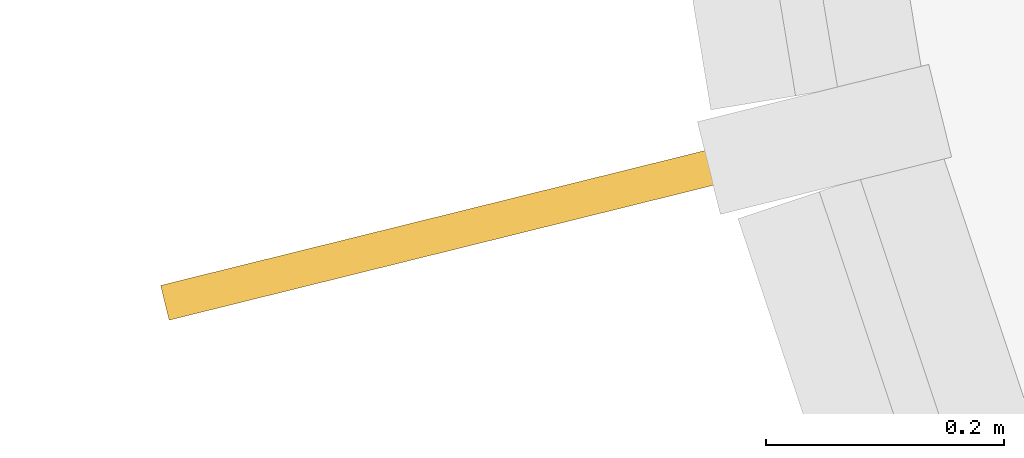
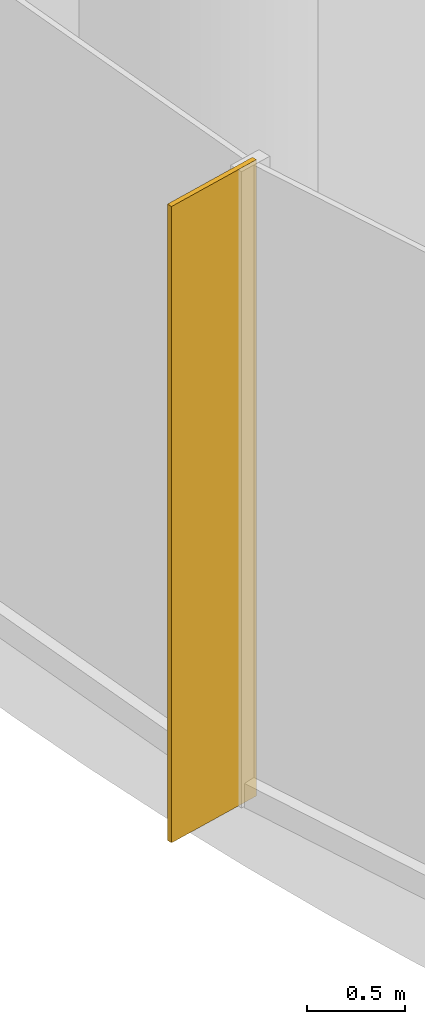
# One storey, part 17 of 19: 1 shading device.
"""IFC4 building model written with IfcOpenShell, lengths in metres."""

import ifcopenshell
import ifcopenshell.guid

model = None  # the IFC model being written
_history = None  # IfcOwnerHistory: only IFC2X3 demands one
_inside = {}  # id of a spatial element -> (the spatial element, [elements in it])
_under = {}  # id of a project, library or spatial element -> (it, [spatial elements below it])
_declared = {}  # id of a project -> (the project, [libraries it declares])
_typed = {}  # id of a type object -> (the type object, [elements of that type])
_made_of = {}  # id of a material, layer set ... -> (it, [elements and type objects made of it])


def new_model(schema):
    """Start an empty IFC model of exactly this schema.

    Asked for "IFC4X3", IfcOpenShell would pick the latest addendum, in which some entities
    have other attributes; the version numbers below select the first issue.
    IFC2X3 requires an IfcOwnerHistory on every rooted entity: one is made here for all.
    """
    global model, _history
    if schema == "IFC4X3":
        model = ifcopenshell.file(schema_version=(4, 3, 0, 0))
    else:
        model = ifcopenshell.file(schema=schema)
    _inside.clear()
    _under.clear()
    _declared.clear()
    _typed.clear()
    _made_of.clear()
    _history = None
    if model.schema == "IFC2X3":
        org = make("IfcOrganization", Name="unknown")
        user = make(
            "IfcPersonAndOrganization",
            ThePerson=make("IfcPerson", FamilyName="unknown"),
            TheOrganization=org,
        )
        app = make(
            "IfcApplication",
            ApplicationDeveloper=org,
            Version="unknown",
            ApplicationFullName="unknown",
            ApplicationIdentifier="unknown",
        )
        _history = make(
            "IfcOwnerHistory",
            OwningUser=user,
            OwningApplication=app,
            ChangeAction="ADDED",
            CreationDate=0,
        )
    return model


def make(cls, **values):
    """One entity of the class cls with the attributes given. An attribute that is None is left unset."""
    return model.create_entity(
        cls, **{name: value for name, value in values.items() if value is not None}
    )


def rooted(cls, **values):
    """An entity with a GlobalId (a new one), such as an element, a storey or a relation."""
    return make(cls, GlobalId=ifcopenshell.guid.new(), OwnerHistory=_history, **values)


def si_unit(unit_type, name, prefix=None):
    """IfcSIUnit, for example si_unit("LENGTHUNIT", "METRE", prefix="MILLI")."""
    return make("IfcSIUnit", UnitType=unit_type, Prefix=prefix, Name=name)


def assignment(units):
    """IfcUnitAssignment: the units of a project."""
    return None if units is None else make("IfcUnitAssignment", Units=units)


def point(xyz):
    """IfcCartesianPoint."""
    return None if xyz is None else make("IfcCartesianPoint", Coordinates=xyz)


def direction(xyz):
    """IfcDirection."""
    return None if xyz is None else make("IfcDirection", DirectionRatios=xyz)


def frame(location, z_axis=None, x_axis=None):
    """IfcAxis2Placement3D, a coordinate frame: its origin and axes. An axis left out is left unset."""
    return make(
        "IfcAxis2Placement3D",
        Location=point(location),
        Axis=direction(z_axis),
        RefDirection=direction(x_axis),
    )


def frame_2d(location, x_axis=None):
    """IfcAxis2Placement2D, a coordinate frame in the plane: its origin and x axis."""
    return make(
        "IfcAxis2Placement2D", Location=point(location), RefDirection=direction(x_axis)
    )


def origin():
    """The frame at (0, 0, 0) with its axes left unset."""
    return frame((0.0, 0.0, 0.0))


def origin_2d():
    """The frame at (0, 0) in the plane with its x axis left unset."""
    return frame_2d((0.0, 0.0))


def place(relative_to, where):
    """IfcLocalPlacement: puts the frame where relative to a parent placement (None: the world)."""
    return make(
        "IfcLocalPlacement", PlacementRelTo=relative_to, RelativePlacement=where
    )


def context(
    kind, dimensions, precision=None, world=None, true_north=None, identifier=None
):
    """IfcGeometricRepresentationContext, for example the 3D "Model" context."""
    return make(
        "IfcGeometricRepresentationContext",
        ContextIdentifier=identifier,
        ContextType=kind,
        CoordinateSpaceDimension=dimensions,
        Precision=precision,
        WorldCoordinateSystem=world,
        TrueNorth=true_north,
    )


def subcontext(parent, identifier, kind, view, scale=None):
    """IfcGeometricRepresentationSubContext, for example "Body" below "Model"."""
    return make(
        "IfcGeometricRepresentationSubContext",
        ContextIdentifier=identifier,
        ContextType=kind,
        ParentContext=parent,
        TargetScale=scale,
        TargetView=view,
    )


def project(units=None, contexts=None):
    """IfcProject with its units and contexts."""
    return rooted(
        "IfcProject",
        Name="project",
        RepresentationContexts=contexts,
        UnitsInContext=assignment(units),
    )


def spatial(cls, under=None, at=None, **own):
    """A site, building, storey or space (cls), placed at a placement, below another one or the project."""
    s = rooted(cls, ObjectPlacement=at, **own)
    if under is not None:
        _under.setdefault(under.id(), (under, []))[1].append(s)
    return s


def profile(cls, at=None, kind="AREA", **sizes):
    """A parametric profile (cls). Its sizes go by their IFC names, for example OverallWidth=200.0."""
    return make(cls, ProfileType=kind, Position=at, **sizes)


def rectangle(**sizes):
    """IfcRectangleProfileDef."""
    return profile("IfcRectangleProfileDef", **sizes)


def extrude(swept, where, along, depth):
    """IfcExtrudedAreaSolid: the profile swept, set in the frame where, extruded along a direction by depth."""
    return make(
        "IfcExtrudedAreaSolid",
        SweptArea=swept,
        Position=where,
        ExtrudedDirection=direction(along),
        Depth=depth,
    )


def shape(context_of_items, identifier, shape_type, items):
    """IfcShapeRepresentation: the items that make up one representation, for example the "Body"."""
    return make(
        "IfcShapeRepresentation",
        ContextOfItems=context_of_items,
        RepresentationIdentifier=identifier,
        RepresentationType=shape_type,
        Items=items,
    )


def source(mapping_origin, context_of_items, identifier, shape_type, items):
    """IfcRepresentationMap: a shape defined once, which mapped items show again and again."""
    return make(
        "IfcRepresentationMap",
        MappingOrigin=mapping_origin,
        MappedRepresentation=shape(context_of_items, identifier, shape_type, items),
    )


def transform(
    local_origin,
    x_axis=None,
    y_axis=None,
    z_axis=None,
    scale=None,
    scale2=None,
    scale3=None,
    uniform=True,
):
    """IfcCartesianTransformationOperator3D, or its non-uniform kind. x_axis, y_axis, z_axis: its Axis1, 2, 3."""
    if uniform:
        return make(
            "IfcCartesianTransformationOperator3D",
            Axis1=direction(x_axis),
            Axis2=direction(y_axis),
            LocalOrigin=point(local_origin),
            Scale=scale,
            Axis3=direction(z_axis),
        )
    return make(
        "IfcCartesianTransformationOperator3DnonUniform",
        Axis1=direction(x_axis),
        Axis2=direction(y_axis),
        LocalOrigin=point(local_origin),
        Scale=scale,
        Axis3=direction(z_axis),
        Scale2=scale2,
        Scale3=scale3,
    )


def mapped(mapping_source, mapping_target):
    """IfcMappedItem: shows the shape of a source again, moved by a transform."""
    return make(
        "IfcMappedItem", MappingSource=mapping_source, MappingTarget=mapping_target
    )


def material(Name=None, Category=None):
    """IfcMaterial."""
    return make("IfcMaterial", Name=Name, Category=Category)


def material_profile(
    of_material, cross_section, Name=None, Category=None, Priority=None
):
    """IfcMaterialProfile: a cross section and its material."""
    return make(
        "IfcMaterialProfile",
        Name=Name,
        Material=of_material,
        Profile=cross_section,
        Priority=Priority,
        Category=Category,
    )


def profile_set(profiles, Name=None, composite=None):
    """IfcMaterialProfileSet."""
    return make(
        "IfcMaterialProfileSet",
        Name=Name,
        MaterialProfiles=profiles,
        CompositeProfile=composite,
    )


def made_of(thing, what):
    """Note that an element or type object is made of a material, layer set ...; save() writes the relation."""
    if what is not None:
        _made_of.setdefault(what.id(), (what, []))[1].append(thing)
    return thing


def type_object(cls, material=None, **own):
    """A type object (cls), such as IfcWallType, which elements share."""
    return made_of(rooted(cls, **own), material)


def element(
    cls,
    number,
    at=None,
    inside=None,
    cuts=None,
    type_object=None,
    material=None,
    context=None,
    identifier="Body",
    shape_type=None,
    held_by="IfcProductDefinitionShape",
    body=None,
    shapes=None,
    **own,
):
    """One element of the class cls, such as IfcWall. Its Tag is "e" and its number.

    at: its placement. inside: the storey or other place that contains it. cuts: it is an
    opening in that element (IfcRelVoidsElement). A single representation is given by context,
    identifier, shape_type and body (its items); several are given by shapes. held_by: the class
    of the entity that holds the representations. save() writes the other relations.
    """
    e = rooted(cls, Tag="e%d" % number, ObjectPlacement=at, **own)
    if body is not None:
        shapes = [shape(context, identifier, shape_type, body)]
    if shapes is not None:
        e.Representation = make(held_by, Representations=shapes)
    if inside is not None:
        _inside.setdefault(inside.id(), (inside, []))[1].append(e)
    if cuts is not None:
        rooted(
            "IfcRelVoidsElement", RelatingBuildingElement=cuts, RelatedOpeningElement=e
        )
    if type_object is not None:
        _typed.setdefault(type_object.id(), (type_object, []))[1].append(e)
    return made_of(e, material)


def aggregate(whole, parts):
    """IfcRelAggregates: a whole, such as a stair, and the parts it consists of."""
    return rooted("IfcRelAggregates", RelatingObject=whole, RelatedObjects=parts)


def save(model, path):
    """Write the relations noted so far, then the file.

    IfcRelAggregates (storeys below a building ...), IfcRelContainedInSpatialStructure (elements
    in a storey), IfcRelDefinesByType, IfcRelAssociatesMaterial and IfcRelDeclares: one each for
    every whole, place, type object, material and project.
    """
    for whole, parts in _under.values():
        aggregate(whole, parts)
    for where, things in _inside.values():
        rooted(
            "IfcRelContainedInSpatialStructure",
            RelatedElements=things,
            RelatingStructure=where,
        )
    for kind, things in _typed.values():
        rooted("IfcRelDefinesByType", RelatedObjects=things, RelatingType=kind)
    for what, things in _made_of.values():
        rooted("IfcRelAssociatesMaterial", RelatedObjects=things, RelatingMaterial=what)
    for by, libraries in _declared.values():
        rooted("IfcRelDeclares", RelatingContext=by, RelatedDefinitions=libraries)
    model.write(path)


model = new_model("IFC4")

# Units and contexts
model_context = context("Model", 3, precision=1e-05, world=origin(), true_north=direction((0.0, 1.0)))
body_context = subcontext(model_context, "Body", "Model", "MODEL_VIEW")
ifc_project = project(units=[si_unit("LENGTHUNIT", "METRE"), si_unit("AREAUNIT", "SQUARE_METRE"), si_unit("VOLUMEUNIT", "CUBIC_METRE"), si_unit("PLANEANGLEUNIT", "RADIAN"), si_unit("MASSUNIT", "GRAM", prefix="KILO")], contexts=[model_context])

# Site, building, storey
site_placement = place(None, origin())
site = spatial("IfcSite", under=ifc_project, at=site_placement, CompositionType="ELEMENT")
building_placement = place(site_placement, origin())
building = spatial("IfcBuilding", under=site, at=building_placement, Name="Spindrift Exchange Tower", CompositionType="ELEMENT")
storey_placement = place(building_placement, frame((0.0, 0.0, 49.0)))
storey = spatial("IfcBuildingStorey", under=building, at=storey_placement, Name="L11", CompositionType="ELEMENT", Elevation=49.0)

# Shading device
ifc_material = material(Name="Bronze anodised aluminium", Category="aluminium")
ifc_material_profile = material_profile(ifc_material, rectangle(XDim=0.030029296875, YDim=0.60009765625, at=origin_2d()), Name="WIND FIN 30X600")
ifc_profile_set = profile_set([ifc_material_profile], Name="Bronze anodised aluminium")
shading_device_type = type_object("IfcShadingDeviceType", Name="WIND FIN 30X600", PredefinedType="USERDEFINED", material=ifc_profile_set)
shared_shape = source(origin(), body_context, "Body", "SweptSolid", [
    extrude(rectangle(XDim=0.030029296875, YDim=0.60009765625, at=origin_2d()), origin(), (0.0, 0.0, 1.0), 3.949951171875),
])
shading_device_placement = place(storey_placement, frame((14.26513671875, 39.91943359375, 0.0), z_axis=(0.0, 0.0, 1.0), x_axis=(0.240475390776, -0.970655235617, 0.0)))
element("IfcShadingDevice", 1, at=shading_device_placement, inside=storey, type_object=shading_device_type, Name="L11 wind fin 1", ObjectType="FIN", PredefinedType="USERDEFINED", context=body_context, shape_type="MappedRepresentation", body=[
    mapped(shared_shape, transform((0.0, 0.0, 0.0), scale=1.0)),
])

save(model, "model.ifc")
